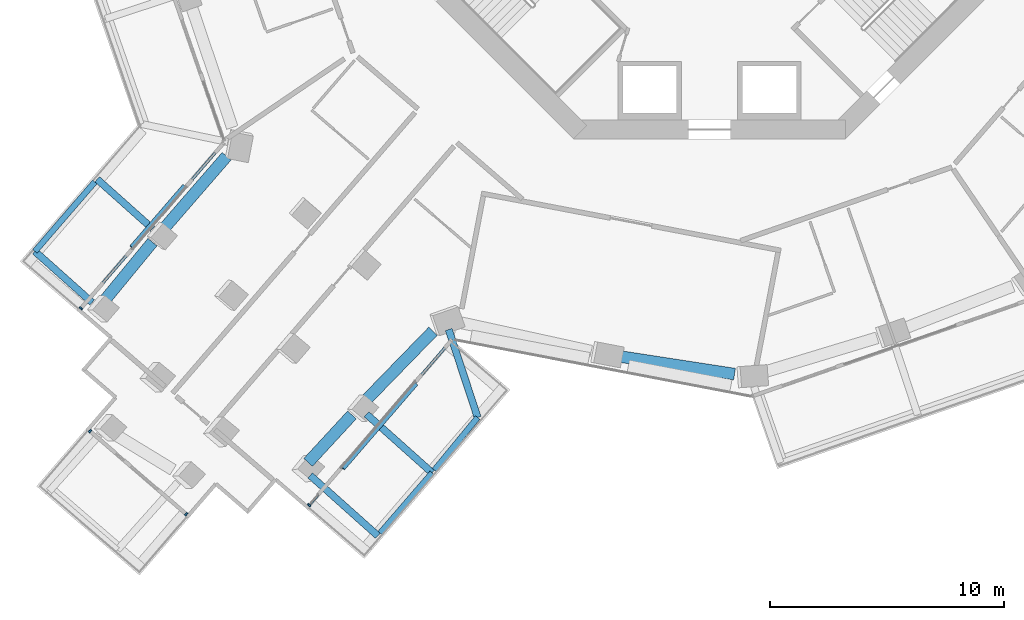
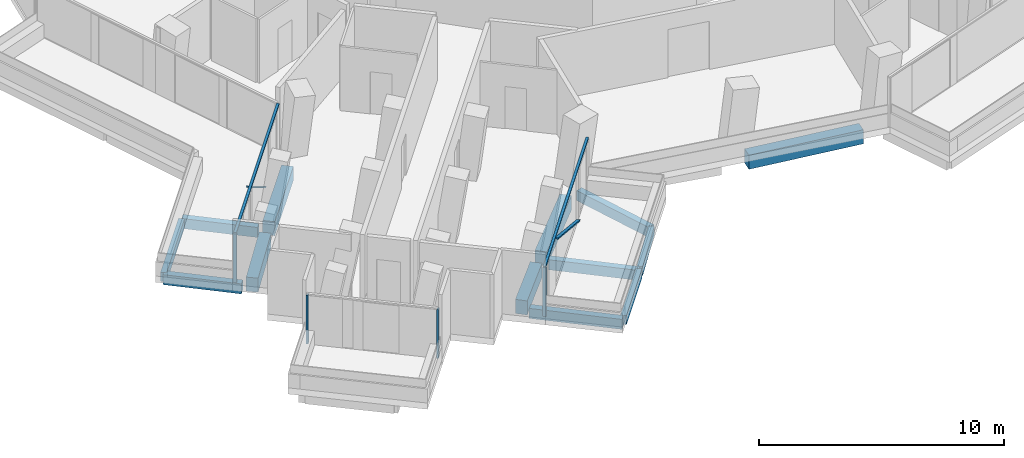
# One storey, part 2 of 23: 13 beams, 8 members, 3 elements without a shape of their own.
"""IFC4 building model written with IfcOpenShell, lengths in metres."""

from ifc_helpers import new_model, si_unit, direction, frame, origin, origin_2d, place, context, subcontext, project, spatial, rectangle, extrude, material, layer, layer_set, material_profile, profile_set, type_object, element, aggregate, save


model = new_model("IFC4")

# Units and contexts
model_context = context("Model", 3, precision=1e-05, world=origin(), true_north=direction((0.0, 1.0)))
body_context = subcontext(model_context, "Body", "Model", "MODEL_VIEW")
ifc_project = project(units=[si_unit("LENGTHUNIT", "METRE"), si_unit("AREAUNIT", "SQUARE_METRE"), si_unit("VOLUMEUNIT", "CUBIC_METRE"), si_unit("PLANEANGLEUNIT", "RADIAN"), si_unit("MASSUNIT", "GRAM", prefix="KILO")], contexts=[model_context])

# Site, building, storey
site_placement = place(None, origin())
site = spatial("IfcSite", under=ifc_project, at=site_placement, CompositionType="ELEMENT")
building_placement = place(site_placement, origin())
building = spatial("IfcBuilding", under=site, at=building_placement, Name="Verdalira Terraces Hotel", CompositionType="ELEMENT")
storey_placement = place(building_placement, frame((0.0, 0.0, 111.5)))
storey = spatial("IfcBuildingStorey", under=building, at=storey_placement, Name="L26", CompositionType="ELEMENT", Elevation=111.5)

# Beams
ifc_material_1 = material(Name="Concrete C40", Category="concrete")
ifc_material_profile_1 = material_profile(ifc_material_1, rectangle(XDim=0.300049, YDim=0.5, at=origin_2d()), Name="RC 300X500")
ifc_profile_set_1 = profile_set([ifc_material_profile_1], Name="Concrete C40")
beam_type_1 = type_object("IfcBeamType", Name="Balcony cantilever beam RC 300X500 C40", PredefinedType="BEAM", material=ifc_profile_set_1)
beam_1_placement = place(storey_placement, frame((-23.75708, -17.82959, -0.560059), z_axis=(-0.745986905, 0.665960612, 0.0), x_axis=(-0.665960612, -0.745986905, 0.0)))
element("IfcBeam", 1, at=beam_1_placement, inside=storey, type_object=beam_type_1, Name="Balcony cantilever beam R13-1", PredefinedType="BEAM", context=body_context, shape_type="SweptSolid", body=[
    extrude(rectangle(XDim=0.300049, YDim=0.5, at=origin_2d()), origin(), (0.0, 0.0, 1.0), 3.166748),
])
beam_2_placement = place(storey_placement, frame((-26.334473, -20.976318, -0.560059), z_axis=(-0.745900589, 0.666057289, 0.0), x_axis=(-0.666057289, -0.745900589, 0.0)))
element("IfcBeam", 2, at=beam_2_placement, inside=storey, type_object=beam_type_1, Name="Balcony cantilever beam R13-2", PredefinedType="BEAM", context=body_context, shape_type="SweptSolid", body=[
    extrude(rectangle(XDim=0.300049, YDim=0.5, at=origin_2d()), origin(), (0.0, 0.0, 1.0), 3.271729),
])
beam_3_placement = place(storey_placement, frame((-17.033447, -28.352295, -0.560059), z_axis=(0.745952217, -0.665999467, 0.0), x_axis=(0.665999467, 0.745952217, 0.0)))
element("IfcBeam", 3, at=beam_3_placement, inside=storey, type_object=beam_type_1, Name="Balcony cantilever beam R24-1", PredefinedType="BEAM", context=body_context, shape_type="SweptSolid", body=[
    extrude(rectangle(XDim=0.300049, YDim=0.5, at=origin_2d()), origin(), (0.0, 0.0, 1.0), 3.868896),
])
beam_4_placement = place(storey_placement, frame((-14.629883, -25.74292, -0.560059), z_axis=(0.745936508, -0.666017062, 0.0), x_axis=(0.666017062, 0.745936508, 0.0)))
element("IfcBeam", 4, at=beam_4_placement, inside=storey, type_object=beam_type_1, Name="Balcony cantilever beam R24-2", PredefinedType="BEAM", context=body_context, shape_type="SweptSolid", body=[
    extrude(rectangle(XDim=0.300049, YDim=0.5, at=origin_2d()), origin(), (0.0, 0.0, 1.0), 3.754395),
])
beam_5_placement = place(storey_placement, frame((-11.125977, -22.130615, -0.560059), z_axis=(0.31299952, -0.949753284, 0.0), x_axis=(0.949753284, 0.31299952, 0.0)))
element("IfcBeam", 5, at=beam_5_placement, inside=storey, type_object=beam_type_1, Name="Balcony cantilever beam R24-3", PredefinedType="BEAM", context=body_context, shape_type="SweptSolid", body=[
    extrude(rectangle(XDim=0.300049, YDim=0.5, at=origin_2d()), origin(), (0.0, 0.0, 1.0), 3.949951),
])
ifc_material_2 = material(Name="Concrete C40", Category="concrete")
ifc_material_profile_2 = material_profile(ifc_material_2, rectangle(XDim=0.25, YDim=0.449951, at=origin_2d()), Name="RC 250X450")
ifc_profile_set_2 = profile_set([ifc_material_profile_2], Name="Concrete C40")
beam_type_2 = type_object("IfcBeamType", Name="Balcony edge beam RC 250X450 C40", PredefinedType="BEAM", material=ifc_profile_set_2)
beam_6_placement = place(storey_placement, frame((-26.217285, -15.834229, -0.534912), z_axis=(-0.653437968, -0.756980067, 0.0), x_axis=(0.756980067, -0.653437968, 0.0)))
element("IfcBeam", 6, at=beam_6_placement, inside=storey, type_object=beam_type_2, Name="Balcony edge beam R13-1", PredefinedType="BEAM", context=body_context, shape_type="SweptSolid", body=[
    extrude(rectangle(XDim=0.25, YDim=0.449951, at=origin_2d()), origin(), (0.0, 0.0, 1.0), 3.914062),
])
beam_7_placement = place(storey_placement, frame((-14.049561, -30.81543, -0.534912), z_axis=(0.653438389, 0.756979704, 0.0), x_axis=(-0.756979704, 0.653438389, 0.0)))
element("IfcBeam", 7, at=beam_7_placement, inside=storey, type_object=beam_type_2, Name="Balcony edge beam R24-1", PredefinedType="BEAM", context=body_context, shape_type="SweptSolid", body=[
    extrude(rectangle(XDim=0.25, YDim=0.449951, at=origin_2d()), origin(), (0.0, 0.0, 1.0), 3.397705),
])
beam_8_placement = place(storey_placement, frame((-11.734131, -28.127441, -0.534912), z_axis=(0.634755549, 0.772713009, 0.0), x_axis=(-0.772713009, 0.634755549, 0.0)))
element("IfcBeam", 8, at=beam_8_placement, inside=storey, type_object=beam_type_2, Name="Balcony edge beam R24-2", PredefinedType="BEAM", context=body_context, shape_type="SweptSolid", body=[
    extrude(rectangle(XDim=0.25, YDim=0.449951, at=origin_2d()), origin(), (0.0, 0.0, 1.0), 2.905762),
])

# Curtain wall, member
ifc_material_3 = material(Name="Clear glass", Category="glass")
ifc_layer_1 = layer(ifc_material_3, 0.14990234375)
ifc_layer_set_1 = layer_set([ifc_layer_1], Name="CW2 curtain wall")
curtain_wall_type_1 = type_object("IfcCurtainWallType", Name="CW2 curtain wall", PredefinedType="NOTDEFINED", material=ifc_layer_set_1)
curtain_wall_1_placement = place(storey_placement, origin())
curtain_wall_1 = element("IfcCurtainWall", 9, at=curtain_wall_1_placement, inside=storey, type_object=curtain_wall_type_1, Name="CW2 curtain wall L26 edge 14", PredefinedType="NOTDEFINED")
ifc_material_4 = material(Name="Terracotta frame", Category="masonry")
ifc_material_profile_3 = material_profile(ifc_material_4, rectangle(XDim=0.070068, YDim=0.149902, at=origin_2d()), Name="MU 70x150")
ifc_profile_set_3 = profile_set([ifc_material_profile_3], Name="Terracotta frame")
member_type_1 = type_object("IfcMemberType", Name="CW2 mullion 70x150", PredefinedType="MULLION", material=ifc_profile_set_3)
member_1_placement = place(storey_placement, frame((-26.80957, -21.226318, 0.0), z_axis=(0.0, 0.0, 1.0), x_axis=(-0.653420604, -0.756995056, 0.0)))
member_1 = element("IfcMember", 10, at=member_1_placement, type_object=member_type_1, Name="CW2 mullion", PredefinedType="MULLION", context=body_context, shape_type="SweptSolid", body=[
    extrude(rectangle(XDim=0.070068, YDim=0.149902, at=origin_2d()), origin(), (0.0, 0.0, 1.0), 2.425049),
])

curtain_wall_2_placement = place(storey_placement, origin())
curtain_wall_2 = element("IfcCurtainWall", 11, at=curtain_wall_2_placement, inside=storey, type_object=curtain_wall_type_1, Name="CW2 curtain wall L26 edge 24", PredefinedType="NOTDEFINED")
member_2_placement = place(storey_placement, frame((-17.082275, -29.622803, 0.0), z_axis=(0.0, 0.0, 1.0), x_axis=(0.653420604, 0.756995056, 0.0)))
member_2 = element("IfcMember", 12, at=member_2_placement, type_object=member_type_1, Name="CW2 mullion", PredefinedType="MULLION", context=body_context, shape_type="SweptSolid", body=[
    extrude(rectangle(XDim=0.070068, YDim=0.149902, at=origin_2d()), origin(), (0.0, 0.0, 1.0), 2.425049),
])

# Member
ifc_material_5 = material(Name="Terracotta frame", Category="masonry")
ifc_material_profile_4 = material_profile(ifc_material_5, rectangle(XDim=0.11499, YDim=0.064941, at=origin_2d()), Name="TR 65x115")
ifc_profile_set_4 = profile_set([ifc_material_profile_4], Name="Terracotta frame")
member_type_2 = type_object("IfcMemberType", Name="CW2 transom 65x115", PredefinedType="USERDEFINED", material=ifc_profile_set_4)
member_3_placement = place(storey_placement, frame((-20.7146, -14.165283, 2.45752), z_axis=(-0.653422293, -0.756993598, 0.0), x_axis=(0.756993598, -0.653422293, 0.0)))
member_3 = element("IfcMember", 13, at=member_3_placement, type_object=member_type_2, Name="CW2 transom", ObjectType="TRANSOM", PredefinedType="USERDEFINED", context=body_context, shape_type="SweptSolid", body=[
    extrude(rectangle(XDim=0.11499, YDim=0.064941, at=origin_2d()), origin(), (0.0, 0.0, 1.0), 9.362793),
])

member_4_placement = place(storey_placement, frame((-17.105225, -29.649414, 2.45752), z_axis=(0.653422293, 0.756993598, 0.0), x_axis=(-0.756993598, 0.653422293, 0.0)))
member_4 = element("IfcMember", 14, at=member_4_placement, type_object=member_type_2, Name="CW2 transom", ObjectType="TRANSOM", PredefinedType="USERDEFINED", context=body_context, shape_type="SweptSolid", body=[
    extrude(rectangle(XDim=0.11499, YDim=0.064941, at=origin_2d()), origin(), (0.0, 0.0, 1.0), 9.362793),
])

# Curtain wall, members
ifc_material_6 = material(Name="Clear glass", Category="glass")
ifc_layer_2 = layer(ifc_material_6, 0.14990234375)
ifc_layer_set_2 = layer_set([ifc_layer_2], Name="CW3 curtain wall")
curtain_wall_type_2 = type_object("IfcCurtainWallType", Name="CW3 curtain wall", PredefinedType="NOTDEFINED", material=ifc_layer_set_2)
curtain_wall_3_placement = place(storey_placement, origin())
curtain_wall_3 = element("IfcCurtainWall", 15, at=curtain_wall_3_placement, inside=storey, type_object=curtain_wall_type_2, Name="CW3 curtain wall L26 edge 19", PredefinedType="NOTDEFINED")
ifc_material_7 = material(Name="Terracotta frame", Category="masonry")
ifc_material_profile_5 = material_profile(ifc_material_7, rectangle(XDim=0.080078, YDim=0.149902, at=origin_2d()), Name="MU 80x150")
ifc_profile_set_5 = profile_set([ifc_material_profile_5], Name="Terracotta frame")
member_type_3 = type_object("IfcMemberType", Name="CW3 mullion 80x150", PredefinedType="MULLION", material=ifc_profile_set_5)
member_5_placement = place(storey_placement, frame((-26.421631, -26.462402, 0.0), z_axis=(0.0, 0.0, 1.0), x_axis=(0.756995056, -0.653420604, 0.0)))
member_5 = element("IfcMember", 16, at=member_5_placement, type_object=member_type_3, Name="CW3 mullion", PredefinedType="MULLION", context=body_context, shape_type="SweptSolid", body=[
    extrude(rectangle(XDim=0.080078, YDim=0.149902, at=origin_2d()), origin(), (0.0, 0.0, 1.0), 2.425049),
])
member_6_placement = place(storey_placement, frame((-22.318604, -30.003906, 0.0), z_axis=(0.0, 0.0, 1.0), x_axis=(0.756995056, -0.653420604, 0.0)))
member_6 = element("IfcMember", 17, at=member_6_placement, type_object=member_type_3, Name="CW3 mullion", PredefinedType="MULLION", context=body_context, shape_type="SweptSolid", body=[
    extrude(rectangle(XDim=0.080078, YDim=0.149902, at=origin_2d()), origin(), (0.0, 0.0, 1.0), 2.425049),
])
aggregate(curtain_wall_3, [member_5, member_6])

# Member
ifc_material_8 = material(Name="Terracotta frame", Category="masonry")
ifc_material_profile_6 = material_profile(ifc_material_8, rectangle(XDim=0.149902, YDim=0.060059, at=origin_2d()), Name="GB 60x150")
ifc_profile_set_6 = profile_set([ifc_material_profile_6], Name="Terracotta frame")
member_type_4 = type_object("IfcMemberType", Name="Diagonal glazing bar 60x150", PredefinedType="USERDEFINED", material=ifc_profile_set_6)
member_7_placement = place(storey_placement, frame((-22.417725, -15.999023, 0.025879), z_axis=(-0.53805287, -0.623331156, 0.567412882), x_axis=(0.756990341, -0.653426066, 0.0)))
member_7 = element("IfcMember", 18, at=member_7_placement, type_object=member_type_4, Name="Diagonal glazing bar", ObjectType="GLAZING BAR", PredefinedType="USERDEFINED", context=body_context, shape_type="SweptSolid", body=[
    extrude(rectangle(XDim=0.149902, YDim=0.060059, at=origin_2d()), origin(), (0.0, 0.0, 1.0), 4.182617),
])

aggregate(curtain_wall_1, [member_1, member_3, member_7])

member_8_placement = place(storey_placement, frame((-15.615234, -28.0625, 2.397217), z_axis=(0.585022267, 0.677737235, -0.445444932), x_axis=(-0.75698667, 0.653430319, 0.0)))
member_8 = element("IfcMember", 19, at=member_8_placement, type_object=member_type_4, Name="Diagonal glazing bar", ObjectType="GLAZING BAR", PredefinedType="USERDEFINED", context=body_context, shape_type="SweptSolid", body=[
    extrude(rectangle(XDim=0.149902, YDim=0.060059, at=origin_2d()), origin(), (0.0, 0.0, 1.0), 5.319092),
])

aggregate(curtain_wall_2, [member_2, member_4, member_8])

# Beams
ifc_material_9 = material(Name="Concrete C70", Category="concrete")
ifc_material_profile_7 = material_profile(ifc_material_9, rectangle(XDim=0.5, YDim=0.699951, at=origin_2d()), Name="RC 500X700")
ifc_profile_set_7 = profile_set([ifc_material_profile_7], Name="Concrete C70")
beam_type_3 = type_object("IfcBeamType", Name="Spandrel beam RC 500X700 C70", PredefinedType="SPANDREL", material=ifc_profile_set_7)
beam_9_placement = place(storey_placement, frame((-20.598145, -14.741211, -0.659912), z_axis=(-0.655349238, -0.755326007, 0.0), x_axis=(0.755326007, -0.655349238, 0.0)))
element("IfcBeam", 20, at=beam_9_placement, inside=storey, type_object=beam_type_3, Name="Spandrel beam B10", PredefinedType="SPANDREL", context=body_context, shape_type="SweptSolid", body=[
    extrude(rectangle(XDim=0.5, YDim=0.699951, at=origin_2d()), origin(), (0.0, 0.0, 1.0), 4.01709),
])
beam_10_placement = place(storey_placement, frame((-23.760742, -18.40332, -0.659912), z_axis=(-0.634852916, -0.772633015, 0.0), x_axis=(0.772633015, -0.634852916, 0.0)))
element("IfcBeam", 21, at=beam_10_placement, inside=storey, type_object=beam_type_3, Name="Spandrel beam B11", PredefinedType="SPANDREL", context=body_context, shape_type="SweptSolid", body=[
    extrude(rectangle(XDim=0.5, YDim=0.699951, at=origin_2d()), origin(), (0.0, 0.0, 1.0), 3.256836),
])
beam_11_placement = place(storey_placement, frame((-17.121582, -27.796875, -0.659912), z_axis=(0.67842357, 0.734670987, 0.0), x_axis=(-0.734670987, 0.67842357, 0.0)))
element("IfcBeam", 22, at=beam_11_placement, inside=storey, type_object=beam_type_3, Name="Spandrel beam B13", PredefinedType="SPANDREL", context=body_context, shape_type="SweptSolid", body=[
    extrude(rectangle(XDim=0.5, YDim=0.699951, at=origin_2d()), origin(), (0.0, 0.0, 1.0), 2.756104),
])
beam_12_placement = place(storey_placement, frame((-14.685547, -25.174316, -0.659912), z_axis=(0.69726173, 0.716816629, 0.0), x_axis=(-0.716816629, 0.69726173, 0.0)))
element("IfcBeam", 23, at=beam_12_placement, inside=storey, type_object=beam_type_3, Name="Spandrel beam B14", PredefinedType="SPANDREL", context=body_context, shape_type="SweptSolid", body=[
    extrude(rectangle(XDim=0.5, YDim=0.699951, at=origin_2d()), origin(), (0.0, 0.0, 1.0), 4.14502),
])
beam_13_placement = place(storey_placement, frame((-3.889648, -23.269775, -0.659912), z_axis=(0.988376765, -0.152024241, 0.0), x_axis=(0.152024241, 0.988376765, 0.0)))
element("IfcBeam", 24, at=beam_13_placement, inside=storey, type_object=beam_type_3, Name="Spandrel beam B16", PredefinedType="SPANDREL", context=body_context, shape_type="SweptSolid", body=[
    extrude(rectangle(XDim=0.5, YDim=0.699951, at=origin_2d()), origin(), (0.0, 0.0, 1.0), 5.012207),
])

save(model, "model.ifc")
